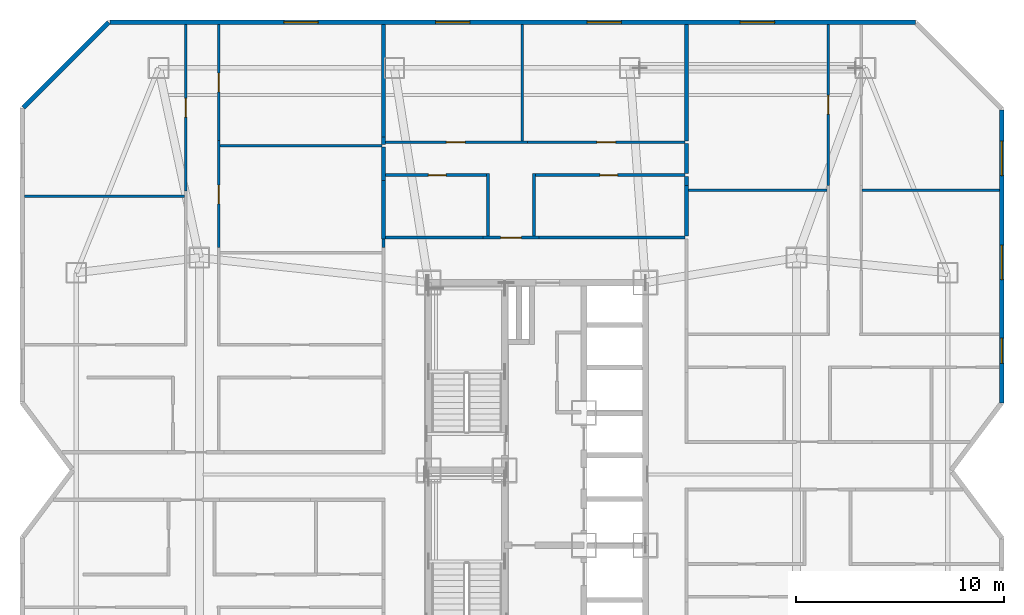
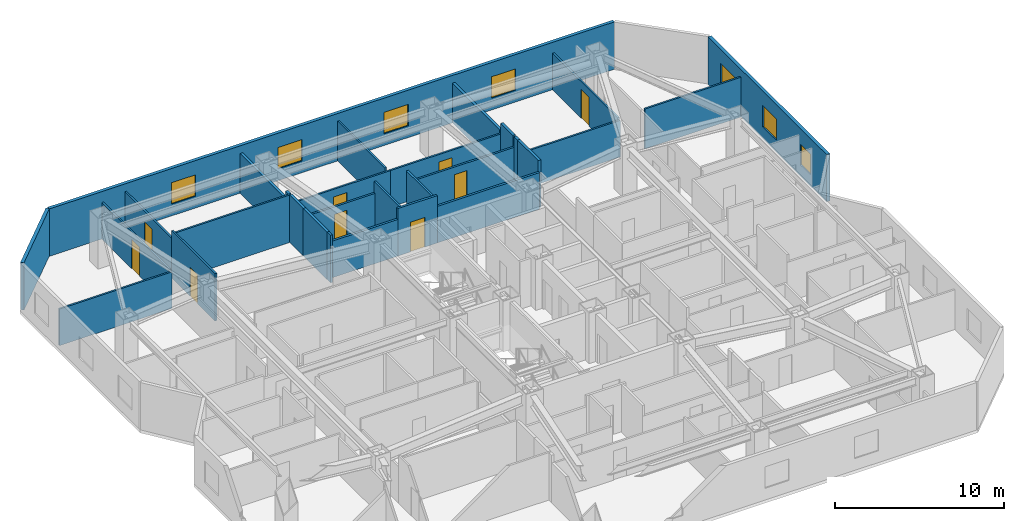
# One storey, part 8 of 10: 30 walls, 9 doors, 7 windows, 16 openings.
"""IFC4 building model written with IfcOpenShell, lengths in metres."""

from ifc_helpers import new_model, si_unit, direction, frame, frame_2d, origin, place, context, subcontext, project, spatial, rectangle, extrude, material, layer, layer_set, type_object, element, fill, save


model = new_model("IFC4")

# Units and contexts
model_context = context("Model", 3, precision=1e-05, world=origin(), true_north=direction((0.0, 1.0)))
body_context = subcontext(model_context, "Body", "Model", "MODEL_VIEW")
ifc_project = project(units=[si_unit("LENGTHUNIT", "METRE"), si_unit("AREAUNIT", "SQUARE_METRE"), si_unit("VOLUMEUNIT", "CUBIC_METRE"), si_unit("PLANEANGLEUNIT", "RADIAN"), si_unit("MASSUNIT", "GRAM", prefix="KILO")], contexts=[model_context])

# Site, building, storey
site_placement = place(None, origin())
site = spatial("IfcSite", under=ifc_project, at=site_placement, CompositionType="ELEMENT")
building_placement = place(site_placement, origin())
building = spatial("IfcBuilding", under=site, at=building_placement, Name="Khamvora Tower", CompositionType="ELEMENT")
storey_placement = place(building_placement, frame((0.0, 0.0, 94.60009765625)))
storey = spatial("IfcBuildingStorey", under=building, at=storey_placement, Name="L23", CompositionType="ELEMENT", Elevation=94.60009765625)

# Wall
ifc_material_1 = material(Name="Fire-Rated Drywall and Steel Stud", Category="steel")
ifc_layer_1 = layer(ifc_material_1, 0.14990234375)
ifc_layer_set_1 = layer_set([ifc_layer_1], Name="Fire-Rated Drywall and Steel Stud")
wall_type_1 = type_object("IfcWallType", Name="WAL-CORR-150", PredefinedType="STANDARD", material=ifc_layer_set_1)
wall_1_placement = place(storey_placement, frame((26.8349609375, 38.68798828125, 0.0), z_axis=(0.0, 0.0, 1.0), x_axis=(0.0, 1.0, 0.0)))
element("IfcWall", 1, at=wall_1_placement, inside=storey, type_object=wall_type_1, Name="L23 interior partition wall 017", PredefinedType="STANDARD", context=body_context, shape_type="SweptSolid", body=[
    extrude(rectangle(XDim=0.412109375, YDim=0.14990234375, at=frame_2d((0.2060546875, 0.0))), origin(), (0.0, 0.0, 1.0), 3.429931640625),
])

# Wall, opening, door
wall_2_placement = place(storey_placement, frame((31.60107421875, 39.1650390625, 0.0), z_axis=(0.0, 0.0, 1.0), x_axis=(1.0, 0.0, 0.0)))
wall_2 = element("IfcWall", 2, at=wall_2_placement, inside=storey, type_object=wall_type_1, Name="L23 interior partition wall 021", PredefinedType="STANDARD", context=body_context, shape_type="SweptSolid", body=[
    extrude(rectangle(XDim=2.697998046875, YDim=0.14990234375, at=frame_2d((1.34912109375, 0.0))), origin(), (0.0, 0.0, 1.0), 3.429931640625),
])
opening_1_placement = place(wall_2_placement, frame((0.84912109375, 0.0, 0.0)))
opening_1 = element("IfcOpeningElement", 3, at=opening_1_placement, cuts=wall_2, Name="Opening D-U1", PredefinedType="OPENING", context=body_context, shape_type="SweptSolid", body=[
    extrude(rectangle(XDim=1.0, YDim=2.14990234375, at=frame_2d((0.5, 1.074951171875))), frame((0.0, 0.0849609375, 0.0), z_axis=(0.0, -1.0, 0.0), x_axis=(1.0, 0.0, 0.0)), (0.0, 0.0, 1.0), 0.169921875),
])
ifc_material_2 = material(Name="Powder-Coated Steel and Hardwood Leaf", Category="steel")
door_type_1 = type_object("IfcDoorType", Name="DOR-UNIT-1000", OperationType="NOTDEFINED", PredefinedType="DOOR", material=ifc_material_2)
door_1_placement = place(opening_1_placement, origin())
door_1 = element("IfcDoor", 4, at=door_1_placement, inside=storey, type_object=door_type_1, Name="L23 interior door COR-23NAH", OperationType="SINGLE_SWING_RIGHT", OverallHeight=2.14990234375, OverallWidth=1.0, PredefinedType="DOOR", context=body_context, shape_type="SweptSolid", body=[
    extrude(rectangle(XDim=1.0, YDim=2.14990234375, at=frame_2d((0.5, 1.074951171875))), frame((0.0, 0.02490234375, 0.0), z_axis=(0.0, -1.0, 0.0), x_axis=(1.0, 0.0, 0.0)), (0.0, 0.0, 1.0), 0.050048828125),
])
fill(opening_1, door_1)

# Walls
wall_3_placement = place(storey_placement, frame((26.89990234375, 39.1650390625, 0.0), z_axis=(0.0, 0.0, 1.0), x_axis=(1.0, 0.0, 0.0)))
element("IfcWall", 5, at=wall_3_placement, inside=storey, type_object=wall_type_1, Name="L23 interior partition wall 022", PredefinedType="STANDARD", context=body_context, shape_type="SweptSolid", body=[
    extrude(rectangle(XDim=4.701171875, YDim=0.14990234375, at=frame_2d((2.3505859375, 0.0))), origin(), (0.0, 0.0, 1.0), 2.64697265625),
])
wall_4_placement = place(storey_placement, frame((34.299072265625, 39.1650390625, 0.0), z_axis=(0.0, 0.0, 1.0), x_axis=(1.0, 0.0, 0.0)))
element("IfcWall", 6, at=wall_4_placement, inside=storey, type_object=wall_type_1, Name="L23 interior partition wall 023", PredefinedType="STANDARD", context=body_context, shape_type="SweptSolid", body=[
    extrude(rectangle(XDim=7.0009765625, YDim=0.14990234375, at=frame_2d((3.50048828125, 0.0))), origin(), (0.0, 0.0, 1.0), 2.64697265625),
])
ifc_material_3 = material(Name="Acoustic Double-Stud Fire Wall", Category="gypsum")
ifc_layer_2 = layer(ifc_material_3, 0.179931640625)
ifc_layer_set_2 = layer_set([ifc_layer_2], Name="Acoustic Double-Stud Fire Wall")
wall_type_2 = type_object("IfcWallType", Name="WAL-CORR-180", PredefinedType="STANDARD", material=ifc_layer_set_2)
wall_5_placement = place(storey_placement, frame((26.8349609375, 43.507080078125, 0.0), z_axis=(0.0, 0.0, 1.0), x_axis=(0.0, -1.0, 0.0)))
element("IfcWall", 7, at=wall_5_placement, inside=storey, type_object=wall_type_2, Name="L23 interior partition wall 071", PredefinedType="STANDARD", context=body_context, shape_type="SweptSolid", body=[
    extrude(rectangle(XDim=1.593994140625, YDim=0.179931640625, at=frame_2d((0.796875, 0.0))), origin(), (0.0, 0.0, 1.0), 3.429931640625),
])
wall_6_placement = place(storey_placement, frame((26.8349609375, 41.9130859375, 0.0), z_axis=(0.0, 0.0, 1.0), x_axis=(0.0, -1.0, 0.0)))
element("IfcWall", 8, at=wall_6_placement, inside=storey, type_object=wall_type_2, Name="L23 interior partition wall 072", PredefinedType="STANDARD", context=body_context, shape_type="SweptSolid", body=[
    extrude(rectangle(XDim=2.81298828125, YDim=0.179931640625, at=frame_2d((1.406494140625, 0.0))), origin(), (0.0, 0.0, 1.0), 3.429931640625),
])
wall_7_placement = place(storey_placement, frame((26.8349609375, 43.990966796875, 0.0), z_axis=(0.0, 0.0, 1.0), x_axis=(0.0, -1.0, 0.0)))
element("IfcWall", 9, at=wall_7_placement, inside=storey, type_object=wall_type_2, Name="L23 interior partition wall 073", PredefinedType="STANDARD", context=body_context, shape_type="SweptSolid", body=[
    extrude(rectangle(XDim=0.35400390625, YDim=0.179931640625, at=frame_2d((0.177001953125, 0.0))), origin(), (0.0, 0.0, 1.0), 3.429931640625),
])
wall_8_placement = place(storey_placement, frame((26.8349609375, 49.387939453125, 0.0), z_axis=(0.0, 0.0, 1.0), x_axis=(0.0, -1.0, 0.0)))
element("IfcWall", 10, at=wall_8_placement, inside=storey, type_object=wall_type_2, Name="L23 interior partition wall 074", PredefinedType="STANDARD", context=body_context, shape_type="SweptSolid", body=[
    extrude(rectangle(XDim=5.39697265625, YDim=0.179931640625, at=frame_2d((2.698486328125, 0.0))), origin(), (0.0, 0.0, 1.0), 2.8759765625),
])
wall_9_placement = place(storey_placement, frame((41.364990234375, 43.677001953125, 0.0), z_axis=(0.0, 0.0, 1.0), x_axis=(0.0, -1.0, 0.0)))
element("IfcWall", 11, at=wall_9_placement, inside=storey, type_object=wall_type_2, Name="L23 interior partition wall 092", PredefinedType="STANDARD", context=body_context, shape_type="SweptSolid", body=[
    extrude(rectangle(XDim=1.449951171875, YDim=0.179931640625, at=frame_2d((0.72509765625, 0.0))), origin(), (0.0, 0.0, 1.0), 3.429931640625),
])
wall_10_placement = place(storey_placement, frame((41.364990234375, 41.673095703125, 0.0), z_axis=(0.0, 0.0, 1.0), x_axis=(0.0, -1.0, 0.0)))
element("IfcWall", 12, at=wall_10_placement, inside=storey, type_object=wall_type_2, Name="L23 interior partition wall 093", PredefinedType="STANDARD", context=body_context, shape_type="SweptSolid", body=[
    extrude(rectangle(XDim=2.443115234375, YDim=0.179931640625, at=frame_2d((1.2216796875, 0.0))), origin(), (0.0, 0.0, 1.0), 3.429931640625),
])
wall_11_placement = place(storey_placement, frame((41.364990234375, 42.096923828125, 0.0), z_axis=(0.0, 0.0, 1.0), x_axis=(0.0, -1.0, 0.0)))
element("IfcWall", 13, at=wall_11_placement, inside=storey, type_object=wall_type_2, Name="L23 interior partition wall 094", PredefinedType="STANDARD", context=body_context, shape_type="SweptSolid", body=[
    extrude(rectangle(XDim=0.423828125, YDim=0.179931640625, at=frame_2d((0.2119140625, 0.0))), origin(), (0.0, 0.0, 1.0), 3.429931640625),
])
wall_12_placement = place(storey_placement, frame((41.364990234375, 49.387939453125, 0.0), z_axis=(0.0, 0.0, 1.0), x_axis=(0.0, -1.0, 0.0)))
element("IfcWall", 14, at=wall_12_placement, inside=storey, type_object=wall_type_2, Name="L23 interior partition wall 096", PredefinedType="STANDARD", context=body_context, shape_type="SweptSolid", body=[
    extrude(rectangle(XDim=5.5810546875, YDim=0.179931640625, at=frame_2d((2.79052734375, 0.0))), origin(), (0.0, 0.0, 1.0), 2.8759765625),
])
ifc_material_4 = material(Name="Precast concrete C40/50", Category="concrete")
ifc_layer_3 = layer(ifc_material_4, 0.219970703125)
ifc_layer_set_3 = layer_set([ifc_layer_3], Name="Precast concrete C40/50")
wall_type_3 = type_object("IfcWallType", Name="WAL-EXT-220", PredefinedType="STANDARD", material=ifc_layer_set_3)
wall_13_placement = place(storey_placement, frame((9.55810546875, 45.402099609375, 0.0), z_axis=(0.0, 0.0, 1.0), x_axis=(0.707106781187, 0.707106781187, 0.0)))
element("IfcWall", 15, at=wall_13_placement, inside=storey, type_object=wall_type_3, Name="L23 exterior facade wall 06.1", PredefinedType="STANDARD", context=body_context, shape_type="SweptSolid", body=[
    extrude(rectangle(XDim=5.78125, YDim=0.219970703125, at=frame_2d((2.890625, 0.0))), origin(), (0.0, 0.0, 1.0), 3.429931640625),
])

# Wall, openings, windows
wall_14_placement = place(storey_placement, frame((13.715087890625, 49.489990234375, 0.0), z_axis=(0.0, 0.0, 1.0), x_axis=(1.0, 0.0, 0.0)))
wall_14 = element("IfcWall", 16, at=wall_14_placement, inside=storey, type_object=wall_type_3, Name="L23 exterior facade wall 07.1", PredefinedType="STANDARD", context=body_context, shape_type="SweptSolid", body=[
    extrude(rectangle(XDim=38.638916015625, YDim=0.219970703125, at=frame_2d((19.3193359375, 0.0))), origin(), (0.0, 0.0, 1.0), 3.429931640625),
])
opening_2_placement = place(wall_14_placement, frame((8.340087890625, 0.0, 0.85009765625)))
opening_2 = element("IfcOpeningElement", 17, at=opening_2_placement, cuts=wall_14, Name="Opening WN-06", PredefinedType="OPENING", context=body_context, shape_type="SweptSolid", body=[
    extrude(rectangle(XDim=1.64990234375, YDim=1.550048828125, at=frame_2d((0.824951171875, 0.77490234375))), frame((0.0, 0.119873046875, 0.0), z_axis=(0.0, -1.0, 0.0), x_axis=(1.0, 0.0, 0.0)), (0.0, 0.0, 1.0), 0.239990234375),
])
opening_3_placement = place(wall_14_placement, frame((15.6201171875, 0.0, 0.85009765625)))
opening_3 = element("IfcOpeningElement", 18, at=opening_3_placement, cuts=wall_14, Name="Opening WN-06", PredefinedType="OPENING", context=body_context, shape_type="SweptSolid", body=[
    extrude(rectangle(XDim=1.64990234375, YDim=1.550048828125, at=frame_2d((0.824951171875, 0.77490234375))), frame((0.0, 0.119873046875, 0.0), z_axis=(0.0, -1.0, 0.0), x_axis=(1.0, 0.0, 0.0)), (0.0, 0.0, 1.0), 0.239990234375),
])
opening_4_placement = place(wall_14_placement, frame((22.885009765625, 0.0, 0.85009765625)))
opening_4 = element("IfcOpeningElement", 19, at=opening_4_placement, cuts=wall_14, Name="Opening WN-06", PredefinedType="OPENING", context=body_context, shape_type="SweptSolid", body=[
    extrude(rectangle(XDim=1.64990234375, YDim=1.550048828125, at=frame_2d((0.824951171875, 0.77490234375))), frame((0.0, 0.119873046875, 0.0), z_axis=(0.0, -1.0, 0.0), x_axis=(1.0, 0.0, 0.0)), (0.0, 0.0, 1.0), 0.239990234375),
])
opening_5_placement = place(wall_14_placement, frame((30.22998046875, 0.0, 0.85009765625)))
opening_5 = element("IfcOpeningElement", 20, at=opening_5_placement, cuts=wall_14, Name="Opening WN-06", PredefinedType="OPENING", context=body_context, shape_type="SweptSolid", body=[
    extrude(rectangle(XDim=1.64990234375, YDim=1.550048828125, at=frame_2d((0.824951171875, 0.77490234375))), frame((0.0, 0.119873046875, 0.0), z_axis=(0.0, -1.0, 0.0), x_axis=(1.0, 0.0, 0.0)), (0.0, 0.0, 1.0), 0.239990234375),
])
ifc_material_5 = material(Name="Low-E Laminated Double Glazing", Category="glass")
window_type_1 = type_object("IfcWindowType", Name="WIN-VIS-1650x1550", PartitioningType="SINGLE_PANEL", PredefinedType="WINDOW", material=ifc_material_5)
window_1_placement = place(opening_2_placement, origin())
window_1 = element("IfcWindow", 21, at=window_1_placement, inside=storey, type_object=window_type_1, Name="L23 vision window 07.1.01", OverallHeight=1.550048828125, OverallWidth=1.64990234375, PartitioningType="SINGLE_PANEL", PredefinedType="WINDOW", context=body_context, shape_type="SweptSolid", body=[
    extrude(rectangle(XDim=1.64990234375, YDim=1.550048828125, at=frame_2d((0.824951171875, 0.77490234375))), frame((0.0, 0.030029296875, 0.0), z_axis=(0.0, -1.0, 0.0), x_axis=(1.0, 0.0, 0.0)), (0.0, 0.0, 1.0), 0.06005859375),
])
fill(opening_2, window_1)
window_2_placement = place(opening_3_placement, origin())
window_2 = element("IfcWindow", 22, at=window_2_placement, inside=storey, type_object=window_type_1, Name="L23 vision window 07.1.02", OverallHeight=1.550048828125, OverallWidth=1.64990234375, PartitioningType="SINGLE_PANEL", PredefinedType="WINDOW", context=body_context, shape_type="SweptSolid", body=[
    extrude(rectangle(XDim=1.64990234375, YDim=1.550048828125, at=frame_2d((0.824951171875, 0.77490234375))), frame((0.0, 0.030029296875, 0.0), z_axis=(0.0, -1.0, 0.0), x_axis=(1.0, 0.0, 0.0)), (0.0, 0.0, 1.0), 0.06005859375),
])
fill(opening_3, window_2)
window_3_placement = place(opening_4_placement, origin())
window_3 = element("IfcWindow", 23, at=window_3_placement, inside=storey, type_object=window_type_1, Name="L23 vision window 07.1.03", OverallHeight=1.550048828125, OverallWidth=1.64990234375, PartitioningType="SINGLE_PANEL", PredefinedType="WINDOW", context=body_context, shape_type="SweptSolid", body=[
    extrude(rectangle(XDim=1.64990234375, YDim=1.550048828125, at=frame_2d((0.824951171875, 0.77490234375))), frame((0.0, 0.030029296875, 0.0), z_axis=(0.0, -1.0, 0.0), x_axis=(1.0, 0.0, 0.0)), (0.0, 0.0, 1.0), 0.06005859375),
])
fill(opening_4, window_3)
window_4_placement = place(opening_5_placement, origin())
window_4 = element("IfcWindow", 24, at=window_4_placement, inside=storey, type_object=window_type_1, Name="L23 vision window 07.1.04", OverallHeight=1.550048828125, OverallWidth=1.64990234375, PartitioningType="SINGLE_PANEL", PredefinedType="WINDOW", context=body_context, shape_type="SweptSolid", body=[
    extrude(rectangle(XDim=1.64990234375, YDim=1.550048828125, at=frame_2d((0.824951171875, 0.77490234375))), frame((0.0, 0.030029296875, 0.0), z_axis=(0.0, -1.0, 0.0), x_axis=(1.0, 0.0, 0.0)), (0.0, 0.0, 1.0), 0.06005859375),
])
fill(opening_5, window_4)

wall_15_placement = place(storey_placement, frame((56.489990234375, 45.282958984375, 0.0), z_axis=(0.0, 0.0, 1.0), x_axis=(0.0, -1.0, 0.0)))
wall_15 = element("IfcWall", 25, at=wall_15_placement, inside=storey, type_object=wall_type_3, Name="L23 exterior facade wall 09.1", PredefinedType="STANDARD", context=body_context, shape_type="SweptSolid", body=[
    extrude(rectangle(XDim=14.0458984375, YDim=0.219970703125, at=frame_2d((7.02294921875, 0.0))), origin(), (0.0, 0.0, 1.0), 3.429931640625),
])
opening_6_placement = place(wall_15_placement, frame((10.947998046875, 0.0, 0.800048828125)))
opening_6 = element("IfcOpeningElement", 26, at=opening_6_placement, cuts=wall_15, Name="Opening WN-03", PredefinedType="OPENING", context=body_context, shape_type="SweptSolid", body=[
    extrude(rectangle(XDim=1.199951171875, YDim=1.5, at=frame_2d((0.60009765625, 0.75))), frame((0.0, 0.119873046875, 0.0), z_axis=(0.0, -1.0, 0.0), x_axis=(1.0, 0.0, 0.0)), (0.0, 0.0, 1.0), 0.239990234375),
])
opening_7_placement = place(wall_15_placement, frame((6.48388671875, 0.0, 0.85009765625)))
opening_7 = element("IfcOpeningElement", 27, at=opening_7_placement, cuts=wall_15, Name="Opening WN-06", PredefinedType="OPENING", context=body_context, shape_type="SweptSolid", body=[
    extrude(rectangle(XDim=1.64990234375, YDim=1.550048828125, at=frame_2d((0.824951171875, 0.77490234375))), frame((0.0, 0.119873046875, 0.0), z_axis=(0.0, -1.0, 0.0), x_axis=(1.0, 0.0, 0.0)), (0.0, 0.0, 1.0), 0.239990234375),
])
opening_8_placement = place(wall_15_placement, frame((1.4970703125, 0.0, 0.85009765625)))
opening_8 = element("IfcOpeningElement", 28, at=opening_8_placement, cuts=wall_15, Name="Opening WN-06", PredefinedType="OPENING", context=body_context, shape_type="SweptSolid", body=[
    extrude(rectangle(XDim=1.64990234375, YDim=1.550048828125, at=frame_2d((0.824951171875, 0.77490234375))), frame((0.0, 0.119873046875, 0.0), z_axis=(0.0, -1.0, 0.0), x_axis=(1.0, 0.0, 0.0)), (0.0, 0.0, 1.0), 0.239990234375),
])
window_type_2 = type_object("IfcWindowType", Name="WIN-VIS-1200x1500", PartitioningType="SINGLE_PANEL", PredefinedType="WINDOW", material=ifc_material_5)
window_5_placement = place(opening_6_placement, origin())
window_5 = element("IfcWindow", 29, at=window_5_placement, inside=storey, type_object=window_type_2, Name="L23 vision window 09.1.01", OverallHeight=1.5, OverallWidth=1.199951171875, PartitioningType="SINGLE_PANEL", PredefinedType="WINDOW", context=body_context, shape_type="SweptSolid", body=[
    extrude(rectangle(XDim=1.199951171875, YDim=1.5, at=frame_2d((0.60009765625, 0.75))), frame((0.0, 0.030029296875, 0.0), z_axis=(0.0, -1.0, 0.0), x_axis=(1.0, 0.0, 0.0)), (0.0, 0.0, 1.0), 0.06005859375),
])
fill(opening_6, window_5)
window_6_placement = place(opening_7_placement, origin())
window_6 = element("IfcWindow", 30, at=window_6_placement, inside=storey, type_object=window_type_1, Name="L23 vision window 09.1.02", OverallHeight=1.550048828125, OverallWidth=1.64990234375, PartitioningType="SINGLE_PANEL", PredefinedType="WINDOW", context=body_context, shape_type="SweptSolid", body=[
    extrude(rectangle(XDim=1.64990234375, YDim=1.550048828125, at=frame_2d((0.824951171875, 0.77490234375))), frame((0.0, 0.030029296875, 0.0), z_axis=(0.0, -1.0, 0.0), x_axis=(1.0, 0.0, 0.0)), (0.0, 0.0, 1.0), 0.06005859375),
])
fill(opening_7, window_6)
window_7_placement = place(opening_8_placement, origin())
window_7 = element("IfcWindow", 31, at=window_7_placement, inside=storey, type_object=window_type_1, Name="L23 vision window 09.1.03", OverallHeight=1.550048828125, OverallWidth=1.64990234375, PartitioningType="SINGLE_PANEL", PredefinedType="WINDOW", context=body_context, shape_type="SweptSolid", body=[
    extrude(rectangle(XDim=1.64990234375, YDim=1.550048828125, at=frame_2d((0.824951171875, 0.77490234375))), frame((0.0, 0.030029296875, 0.0), z_axis=(0.0, -1.0, 0.0), x_axis=(1.0, 0.0, 0.0)), (0.0, 0.0, 1.0), 0.06005859375),
])
fill(opening_8, window_7)

# Wall, opening, door
ifc_material_6 = material(Name="Gypsum Plasterboard Partition", Category="gypsum")
ifc_layer_4 = layer(ifc_material_6, 0.1201171875)
ifc_layer_set_4 = layer_set([ifc_layer_4], Name="Gypsum Plasterboard Partition")
wall_type_4 = type_object("IfcWallType", Name="WAL-PART-120", PredefinedType="PARTITIONING", material=ifc_layer_set_4)
wall_16_placement = place(storey_placement, frame((17.35498046875, 41.402099609375, 0.0), z_axis=(0.0, 0.0, 1.0), x_axis=(0.0, 1.0, 0.0)))
wall_16 = element("IfcWall", 32, at=wall_16_placement, inside=storey, type_object=wall_type_4, Name="L23 interior partition wall 063", PredefinedType="PARTITIONING", context=body_context, shape_type="SweptSolid", body=[
    extrude(rectangle(XDim=7.98583984375, YDim=0.1201171875, at=frame_2d((3.992919921875, 0.0))), origin(), (0.0, 0.0, 1.0), 2.64697265625),
])
opening_9_placement = place(wall_16_placement, frame((3.54296875, 0.0, 0.0)))
opening_9 = element("IfcOpeningElement", 33, at=opening_9_placement, cuts=wall_16, Name="Opening D-RM1", PredefinedType="OPENING", context=body_context, shape_type="SweptSolid", body=[
    extrude(rectangle(XDim=0.89990234375, YDim=2.10009765625, at=frame_2d((0.449951171875, 1.050048828125))), frame((0.0, 0.070068359375, 0.0), z_axis=(0.0, -1.0, 0.0), x_axis=(1.0, 0.0, 0.0)), (0.0, 0.0, 1.0), 0.14013671875),
])
door_type_2 = type_object("IfcDoorType", Name="DOR-ROOM-900", OperationType="NOTDEFINED", PredefinedType="DOOR", material=ifc_material_2)
door_2_placement = place(opening_9_placement, origin())
door_2 = element("IfcDoor", 34, at=door_2_placement, inside=storey, type_object=door_type_2, Name="L23 interior door 23WBH-23WBR2", OperationType="SINGLE_SWING_LEFT", OverallHeight=2.10009765625, OverallWidth=0.89990234375, PredefinedType="DOOR", context=body_context, shape_type="SweptSolid", body=[
    extrude(rectangle(XDim=0.89990234375, YDim=2.10009765625, at=frame_2d((0.449951171875, 1.050048828125))), frame((0.0, 0.02490234375, 0.0), z_axis=(0.0, -1.0, 0.0), x_axis=(1.0, 0.0, 0.0)), (0.0, 0.0, 1.0), 0.050048828125),
])
fill(opening_9, door_2)

wall_17_placement = place(storey_placement, frame((18.925048828125, 43.822021484375, 0.0), z_axis=(0.0, 0.0, 1.0), x_axis=(0.0, -1.0, 0.0)))
wall_17 = element("IfcWall", 35, at=wall_17_placement, inside=storey, type_object=wall_type_4, Name="L23 interior partition wall 066", PredefinedType="PARTITIONING", context=body_context, shape_type="SweptSolid", body=[
    extrude(rectangle(XDim=5.134033203125, YDim=0.1201171875, at=frame_2d((2.56689453125, 0.0))), origin(), (0.0, 0.0, 1.0), 3.429931640625),
])
opening_10_placement = place(wall_17_placement, frame((2.138916015625, 0.0, 0.0)))
opening_10 = element("IfcOpeningElement", 36, at=opening_10_placement, cuts=wall_17, Name="Opening D-RM1", PredefinedType="OPENING", context=body_context, shape_type="SweptSolid", body=[
    extrude(rectangle(XDim=0.89990234375, YDim=2.10009765625, at=frame_2d((0.449951171875, 1.050048828125))), frame((0.0, 0.070068359375, 0.0), z_axis=(0.0, -1.0, 0.0), x_axis=(1.0, 0.0, 0.0)), (0.0, 0.0, 1.0), 0.14013671875),
])
door_3_placement = place(opening_10_placement, origin())
door_3 = element("IfcDoor", 37, at=door_3_placement, inside=storey, type_object=door_type_2, Name="L23 interior door 23WBH-23WBR4", OperationType="SINGLE_SWING_LEFT", OverallHeight=2.10009765625, OverallWidth=0.89990234375, PredefinedType="DOOR", context=body_context, shape_type="SweptSolid", body=[
    extrude(rectangle(XDim=0.89990234375, YDim=2.10009765625, at=frame_2d((0.449951171875, 1.050048828125))), frame((0.0, 0.02490234375, 0.0), z_axis=(0.0, -1.0, 0.0), x_axis=(1.0, 0.0, 0.0)), (0.0, 0.0, 1.0), 0.050048828125),
])
fill(opening_10, door_3)

wall_18_placement = place(storey_placement, frame((18.925048828125, 49.387939453125, 0.0), z_axis=(0.0, 0.0, 1.0), x_axis=(0.0, -1.0, 0.0)))
wall_18 = element("IfcWall", 38, at=wall_18_placement, inside=storey, type_object=wall_type_4, Name="L23 interior partition wall 067", PredefinedType="PARTITIONING", context=body_context, shape_type="SweptSolid", body=[
    extrude(rectangle(XDim=5.56591796875, YDim=0.1201171875, at=frame_2d((2.782958984375, 0.0))), origin(), (0.0, 0.0, 1.0), 2.8759765625),
])
opening_11_placement = place(wall_18_placement, frame((2.3330078125, 0.0, 0.0)))
opening_11 = element("IfcOpeningElement", 39, at=opening_11_placement, cuts=wall_18, Name="Opening D-RM1", PredefinedType="OPENING", context=body_context, shape_type="SweptSolid", body=[
    extrude(rectangle(XDim=0.89990234375, YDim=2.10009765625, at=frame_2d((0.449951171875, 1.050048828125))), frame((0.0, 0.070068359375, 0.0), z_axis=(0.0, -1.0, 0.0), x_axis=(1.0, 0.0, 0.0)), (0.0, 0.0, 1.0), 0.14013671875),
])
door_4_placement = place(opening_11_placement, origin())
door_4 = element("IfcDoor", 40, at=door_4_placement, inside=storey, type_object=door_type_2, Name="L23 interior door 23WBH-23WBR5", OperationType="SINGLE_SWING_RIGHT", OverallHeight=2.10009765625, OverallWidth=0.89990234375, PredefinedType="DOOR", context=body_context, shape_type="SweptSolid", body=[
    extrude(rectangle(XDim=0.89990234375, YDim=2.10009765625, at=frame_2d((0.449951171875, 1.050048828125))), frame((0.0, 0.02490234375, 0.0), z_axis=(0.0, -1.0, 0.0), x_axis=(1.0, 0.0, 0.0)), (0.0, 0.0, 1.0), 0.050048828125),
])
fill(opening_11, door_4)

# Walls
wall_19_placement = place(storey_placement, frame((9.612060546875, 41.153076171875, 0.0), z_axis=(0.0, 0.0, 1.0), x_axis=(1.0, 0.0, 0.0)))
element("IfcWall", 41, at=wall_19_placement, inside=storey, type_object=wall_type_4, Name="L23 interior partition wall 068", PredefinedType="PARTITIONING", context=body_context, shape_type="SweptSolid", body=[
    extrude(rectangle(XDim=7.68896484375, YDim=0.1201171875, at=frame_2d((3.844482421875, 0.0))), origin(), (0.0, 0.0, 1.0), 2.64697265625),
])
wall_20_placement = place(storey_placement, frame((18.97900390625, 43.572021484375, 0.0), z_axis=(0.0, 0.0, 1.0), x_axis=(1.0, 0.0, 0.0)))
element("IfcWall", 42, at=wall_20_placement, inside=storey, type_object=wall_type_4, Name="L23 interior partition wall 070", PredefinedType="PARTITIONING", context=body_context, shape_type="SweptSolid", body=[
    extrude(rectangle(XDim=7.791015625, YDim=0.1201171875, at=frame_2d((3.8955078125, 0.0))), origin(), (0.0, 0.0, 1.0), 3.429931640625),
])

# Wall, opening, door
wall_21_placement = place(storey_placement, frame((26.9169921875, 43.741943359375, 0.0), z_axis=(0.0, 0.0, 1.0), x_axis=(1.0, 0.0, 0.0)))
wall_21 = element("IfcWall", 43, at=wall_21_placement, inside=storey, type_object=wall_type_4, Name="L23 interior partition wall 090", PredefinedType="PARTITIONING", context=body_context, shape_type="SweptSolid", body=[
    extrude(rectangle(XDim=6.81689453125, YDim=0.1201171875, at=frame_2d((3.408447265625, 0.0))), origin(), (0.0, 0.0, 1.0), 2.64697265625),
])
opening_12_placement = place(wall_21_placement, frame((2.93701171875, 0.0, 0.0)))
opening_12 = element("IfcOpeningElement", 44, at=opening_12_placement, cuts=wall_21, Name="Opening D-RM1", PredefinedType="OPENING", context=body_context, shape_type="SweptSolid", body=[
    extrude(rectangle(XDim=0.89990234375, YDim=2.10009765625, at=frame_2d((0.449951171875, 1.050048828125))), frame((0.0, 0.070068359375, 0.0), z_axis=(0.0, -1.0, 0.0), x_axis=(1.0, 0.0, 0.0)), (0.0, 0.0, 1.0), 0.14013671875),
])
door_5_placement = place(opening_12_placement, origin())
door_5 = element("IfcDoor", 45, at=door_5_placement, inside=storey, type_object=door_type_2, Name="L23 interior door 23NAH-23NAR1", OperationType="SINGLE_SWING_LEFT", OverallHeight=2.10009765625, OverallWidth=0.89990234375, PredefinedType="DOOR", context=body_context, shape_type="SweptSolid", body=[
    extrude(rectangle(XDim=0.89990234375, YDim=2.10009765625, at=frame_2d((0.449951171875, 1.050048828125))), frame((0.0, 0.02490234375, 0.0), z_axis=(0.0, -1.0, 0.0), x_axis=(1.0, 0.0, 0.0)), (0.0, 0.0, 1.0), 0.050048828125),
])
fill(opening_12, door_5)

wall_22_placement = place(storey_placement, frame((33.73388671875, 43.741943359375, 0.0), z_axis=(0.0, 0.0, 1.0), x_axis=(1.0, 0.0, 0.0)))
wall_22 = element("IfcWall", 46, at=wall_22_placement, inside=storey, type_object=wall_type_4, Name="L23 interior partition wall 091", PredefinedType="PARTITIONING", context=body_context, shape_type="SweptSolid", body=[
    extrude(rectangle(XDim=7.566162109375, YDim=0.1201171875, at=frame_2d((3.783203125, 0.0))), origin(), (0.0, 0.0, 1.0), 2.64697265625),
])
opening_13_placement = place(wall_22_placement, frame((3.3330078125, 0.0, 0.0)))
opening_13 = element("IfcOpeningElement", 47, at=opening_13_placement, cuts=wall_22, Name="Opening D-RM1", PredefinedType="OPENING", context=body_context, shape_type="SweptSolid", body=[
    extrude(rectangle(XDim=0.89990234375, YDim=2.10009765625, at=frame_2d((0.449951171875, 1.050048828125))), frame((0.0, 0.070068359375, 0.0), z_axis=(0.0, -1.0, 0.0), x_axis=(1.0, 0.0, 0.0)), (0.0, 0.0, 1.0), 0.14013671875),
])
door_6_placement = place(opening_13_placement, origin())
door_6 = element("IfcDoor", 48, at=door_6_placement, inside=storey, type_object=door_type_2, Name="L23 interior door 23NAH-23NAR2", OperationType="SINGLE_SWING_RIGHT", OverallHeight=2.10009765625, OverallWidth=0.89990234375, PredefinedType="DOOR", context=body_context, shape_type="SweptSolid", body=[
    extrude(rectangle(XDim=0.89990234375, YDim=2.10009765625, at=frame_2d((0.449951171875, 1.050048828125))), frame((0.0, 0.02490234375, 0.0), z_axis=(0.0, -1.0, 0.0), x_axis=(1.0, 0.0, 0.0)), (0.0, 0.0, 1.0), 0.050048828125),
])
fill(opening_13, door_6)

# Wall
wall_23_placement = place(storey_placement, frame((33.48388671875, 49.387939453125, 0.0), z_axis=(0.0, 0.0, 1.0), x_axis=(0.0, -1.0, 0.0)))
element("IfcWall", 49, at=wall_23_placement, inside=storey, type_object=wall_type_4, Name="L23 interior partition wall 095", PredefinedType="PARTITIONING", context=body_context, shape_type="SweptSolid", body=[
    extrude(rectangle(XDim=5.592041015625, YDim=0.1201171875, at=frame_2d((2.7958984375, 0.0))), origin(), (0.0, 0.0, 1.0), 2.8759765625),
])

# Wall, opening, door
wall_24_placement = place(storey_placement, frame((48.175048828125, 41.673095703125, 0.0), z_axis=(0.0, 0.0, 1.0), x_axis=(0.0, 1.0, 0.0)))
wall_24 = element("IfcWall", 50, at=wall_24_placement, inside=storey, type_object=wall_type_4, Name="L23 interior partition wall 117", PredefinedType="PARTITIONING", context=body_context, shape_type="SweptSolid", body=[
    extrude(rectangle(XDim=7.71484375, YDim=0.1201171875, at=frame_2d((3.857421875, 0.0))), origin(), (0.0, 0.0, 1.0), 2.64697265625),
])
opening_14_placement = place(wall_24_placement, frame((3.406982421875, 0.0, 0.0)))
opening_14 = element("IfcOpeningElement", 51, at=opening_14_placement, cuts=wall_24, Name="Opening D-RM1", PredefinedType="OPENING", context=body_context, shape_type="SweptSolid", body=[
    extrude(rectangle(XDim=0.89990234375, YDim=2.10009765625, at=frame_2d((0.449951171875, 1.050048828125))), frame((0.0, 0.070068359375, 0.0), z_axis=(0.0, -1.0, 0.0), x_axis=(1.0, 0.0, 0.0)), (0.0, 0.0, 1.0), 0.14013671875),
])
door_7_placement = place(opening_14_placement, origin())
door_7 = element("IfcDoor", 52, at=door_7_placement, inside=storey, type_object=door_type_2, Name="L23 interior door 23EBH-23EBR2", OperationType="SINGLE_SWING_LEFT", OverallHeight=2.10009765625, OverallWidth=0.89990234375, PredefinedType="DOOR", context=body_context, shape_type="SweptSolid", body=[
    extrude(rectangle(XDim=0.89990234375, YDim=2.10009765625, at=frame_2d((0.449951171875, 1.050048828125))), frame((0.0, 0.02490234375, 0.0), z_axis=(0.0, -1.0, 0.0), x_axis=(1.0, 0.0, 0.0)), (0.0, 0.0, 1.0), 0.050048828125),
])
fill(opening_14, door_7)

# Walls
wall_25_placement = place(storey_placement, frame((41.447021484375, 41.424072265625, 0.0), z_axis=(0.0, 0.0, 1.0), x_axis=(1.0, 0.0, 0.0)))
element("IfcWall", 53, at=wall_25_placement, inside=storey, type_object=wall_type_4, Name="L23 interior partition wall 121", PredefinedType="PARTITIONING", context=body_context, shape_type="SweptSolid", body=[
    extrude(rectangle(XDim=6.674072265625, YDim=0.1201171875, at=frame_2d((3.3369140625, 0.0))), origin(), (0.0, 0.0, 1.0), 2.64697265625),
])
wall_26_placement = place(storey_placement, frame((49.799072265625, 41.424072265625, 0.0), z_axis=(0.0, 0.0, 1.0), x_axis=(1.0, 0.0, 0.0)))
element("IfcWall", 54, at=wall_26_placement, inside=storey, type_object=wall_type_4, Name="L23 interior partition wall 122", PredefinedType="PARTITIONING", context=body_context, shape_type="SweptSolid", body=[
    extrude(rectangle(XDim=6.5888671875, YDim=0.1201171875, at=frame_2d((3.29443359375, 0.0))), origin(), (0.0, 0.0, 1.0), 2.8759765625),
])
ifc_material_7 = material(Name="Moisture-Resistant Plasterboard Partition", Category="gypsum")
ifc_layer_5 = layer(ifc_material_7, 0.135009765625)
ifc_layer_set_5 = layer_set([ifc_layer_5], Name="Moisture-Resistant Plasterboard Partition")
wall_type_5 = type_object("IfcWallType", Name="WAL-WET-135", PredefinedType="PARTITIONING", material=ifc_layer_set_5)
wall_27_placement = place(storey_placement, frame((31.85009765625, 39.23193359375, 0.0), z_axis=(0.0, 0.0, 1.0), x_axis=(0.0, 1.0, 0.0)))
element("IfcWall", 55, at=wall_27_placement, inside=storey, type_object=wall_type_5, Name="L23 interior partition wall 086", PredefinedType="PARTITIONING", context=body_context, shape_type="SweptSolid", body=[
    extrude(rectangle(XDim=2.9951171875, YDim=0.135009765625, at=frame_2d((1.49755859375, 0.0))), origin(), (0.0, 0.0, 1.0), 3.429931640625),
])

# Wall, opening, door
wall_28_placement = place(storey_placement, frame((31.9150390625, 42.162109375, 0.0), z_axis=(0.0, 0.0, 1.0), x_axis=(-1.0, 0.0, 0.0)))
wall_28 = element("IfcWall", 56, at=wall_28_placement, inside=storey, type_object=wall_type_5, Name="L23 interior partition wall 087", PredefinedType="PARTITIONING", context=body_context, shape_type="SweptSolid", body=[
    extrude(rectangle(XDim=4.998046875, YDim=0.135009765625, at=frame_2d((2.4990234375, 0.0))), origin(), (0.0, 0.0, 1.0), 2.64697265625),
])
opening_15_placement = place(wall_28_placement, frame((2.073974609375, 0.0, 0.0)))
opening_15 = element("IfcOpeningElement", 57, at=opening_15_placement, cuts=wall_28, Name="Opening D-WC1", PredefinedType="OPENING", context=body_context, shape_type="SweptSolid", body=[
    extrude(rectangle(XDim=0.85009765625, YDim=2.10009765625, at=frame_2d((0.425048828125, 1.050048828125))), frame((0.0, 0.077392578125, 0.0), z_axis=(0.0, -1.0, 0.0), x_axis=(1.0, 0.0, 0.0)), (0.0, 0.0, 1.0), 0.155029296875),
])
door_type_3 = type_object("IfcDoorType", Name="DOR-WET-850", OperationType="NOTDEFINED", PredefinedType="DOOR", material=ifc_material_2)
door_8_placement = place(opening_15_placement, origin())
door_8 = element("IfcDoor", 58, at=door_8_placement, inside=storey, type_object=door_type_3, Name="L23 interior door 23NAH-23NAB", OperationType="SINGLE_SWING_LEFT", OverallHeight=2.10009765625, OverallWidth=0.85009765625, PredefinedType="DOOR", context=body_context, shape_type="SweptSolid", body=[
    extrude(rectangle(XDim=0.85009765625, YDim=2.10009765625, at=frame_2d((0.425048828125, 1.050048828125))), frame((0.0, 0.02490234375, 0.0), z_axis=(0.0, -1.0, 0.0), x_axis=(1.0, 0.0, 0.0)), (0.0, 0.0, 1.0), 0.050048828125),
])
fill(opening_15, door_8)

wall_29_placement = place(storey_placement, frame((41.300048828125, 42.162109375, 0.0), z_axis=(0.0, 0.0, 1.0), x_axis=(-1.0, 0.0, 0.0)))
wall_29 = element("IfcWall", 59, at=wall_29_placement, inside=storey, type_object=wall_type_5, Name="L23 interior partition wall 088", PredefinedType="PARTITIONING", context=body_context, shape_type="SweptSolid", body=[
    extrude(rectangle(XDim=7.31494140625, YDim=0.135009765625, at=frame_2d((3.657470703125, 0.0))), origin(), (0.0, 0.0, 1.0), 2.64697265625),
])
opening_16_placement = place(wall_29_placement, frame((3.23291015625, 0.0, 0.0)))
opening_16 = element("IfcOpeningElement", 60, at=opening_16_placement, cuts=wall_29, Name="Opening D-RM2", PredefinedType="OPENING", context=body_context, shape_type="SweptSolid", body=[
    extrude(rectangle(XDim=0.85009765625, YDim=2.10009765625, at=frame_2d((0.425048828125, 1.050048828125))), frame((0.0, 0.077392578125, 0.0), z_axis=(0.0, -1.0, 0.0), x_axis=(1.0, 0.0, 0.0)), (0.0, 0.0, 1.0), 0.155029296875),
])
door_type_4 = type_object("IfcDoorType", Name="DOR-ROOM-850", OperationType="NOTDEFINED", PredefinedType="DOOR", material=ifc_material_2)
door_9_placement = place(opening_16_placement, origin())
door_9 = element("IfcDoor", 61, at=door_9_placement, inside=storey, type_object=door_type_4, Name="L23 interior door 23NAH-23NAK", OperationType="SINGLE_SWING_RIGHT", OverallHeight=2.10009765625, OverallWidth=0.85009765625, PredefinedType="DOOR", context=body_context, shape_type="SweptSolid", body=[
    extrude(rectangle(XDim=0.85009765625, YDim=2.10009765625, at=frame_2d((0.425048828125, 1.050048828125))), frame((0.0, 0.02490234375, 0.0), z_axis=(0.0, -1.0, 0.0), x_axis=(1.0, 0.0, 0.0)), (0.0, 0.0, 1.0), 0.050048828125),
])
fill(opening_16, door_9)

# Wall
wall_30_placement = place(storey_placement, frame((34.050048828125, 42.22705078125, 0.0), z_axis=(0.0, 0.0, 1.0), x_axis=(0.0, -1.0, 0.0)))
element("IfcWall", 62, at=wall_30_placement, inside=storey, type_object=wall_type_5, Name="L23 interior partition wall 089", PredefinedType="PARTITIONING", context=body_context, shape_type="SweptSolid", body=[
    extrude(rectangle(XDim=2.9951171875, YDim=0.135009765625, at=frame_2d((1.49755859375, 0.0))), origin(), (0.0, 0.0, 1.0), 3.429931640625),
])

save(model, "model.ifc")
